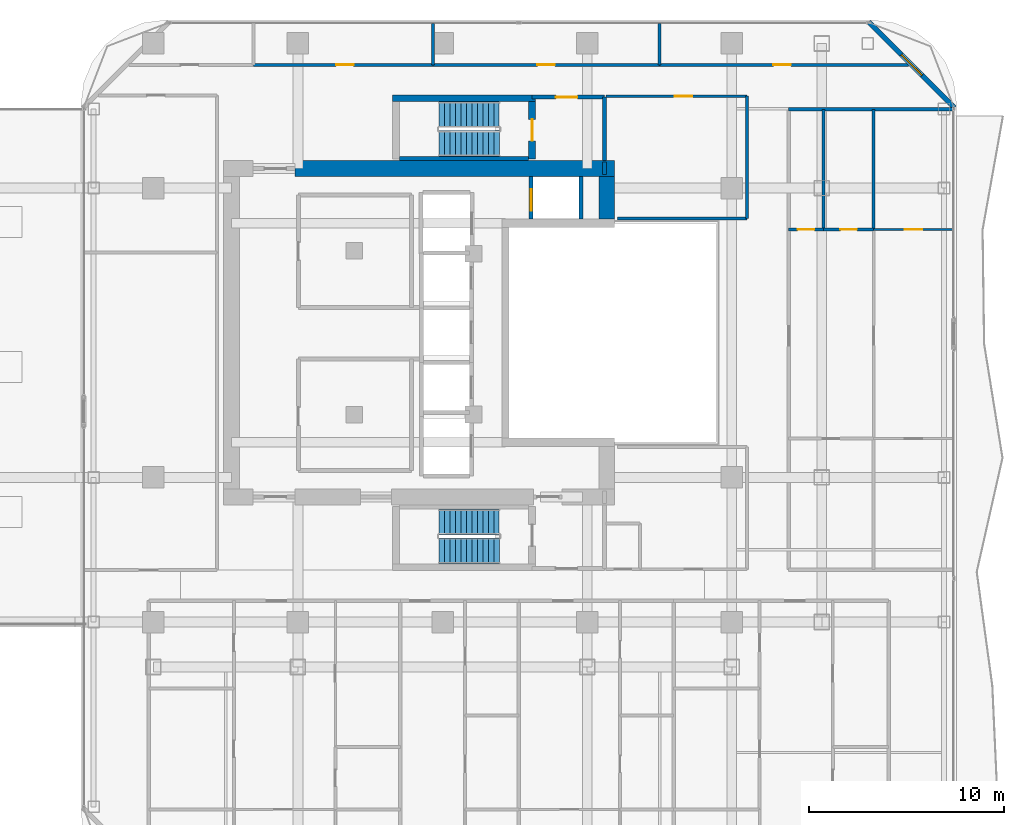
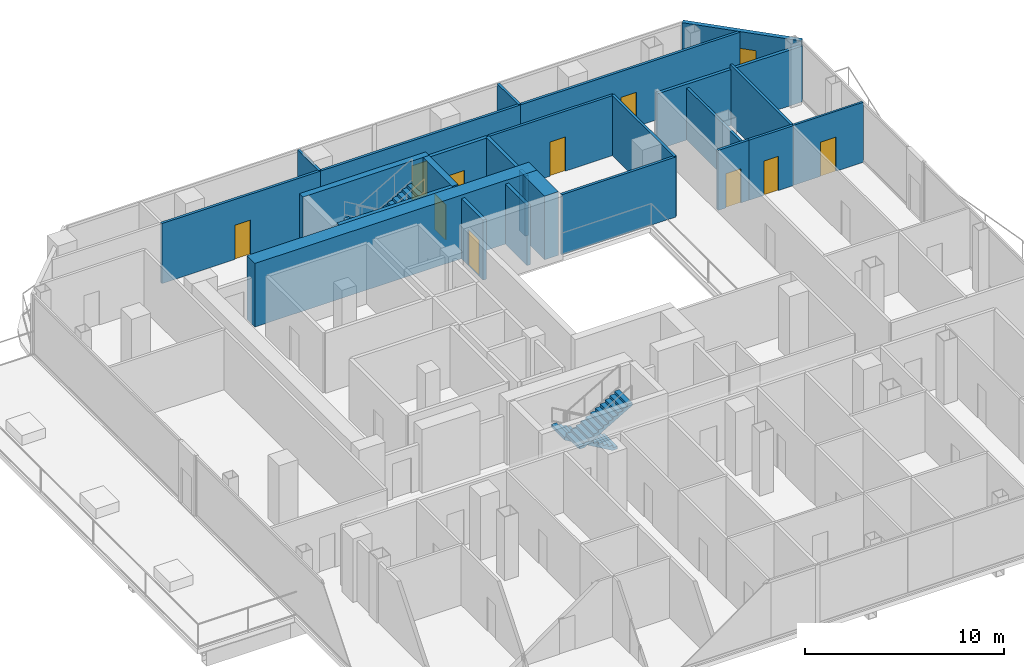
# One storey, part 23 of 26: 25 walls, 10 doors, 4 stair flights, 1 window, 11 openings, 2 elements without a shape of their own.
"""IFC4 building model written with IfcOpenShell, lengths in metres."""

from ifc_helpers import new_model, si_unit, direction, frame, frame_2d, origin, place, context, subcontext, project, spatial, polyline, rectangle, outline, extrude, material, layer, layer_set, type_object, element, fill, aggregate, save


model = new_model("IFC4")

# Units and contexts
model_context = context("Model", 3, precision=1e-05, world=origin(), true_north=direction((0.0, 1.0)))
body_context = subcontext(model_context, "Body", "Model", "MODEL_VIEW")
ifc_project = project(units=[si_unit("LENGTHUNIT", "METRE"), si_unit("AREAUNIT", "SQUARE_METRE"), si_unit("VOLUMEUNIT", "CUBIC_METRE"), si_unit("PLANEANGLEUNIT", "RADIAN"), si_unit("MASSUNIT", "GRAM", prefix="KILO")], contexts=[model_context])

# Site, building, storey
site_placement = place(None, origin())
site = spatial("IfcSite", under=ifc_project, at=site_placement, CompositionType="ELEMENT")
building_placement = place(site_placement, origin())
building = spatial("IfcBuilding", under=site, at=building_placement, Name="Khorvyn Point Tower", CompositionType="ELEMENT")
storey_placement = place(building_placement, frame((0.0, 0.0, 219.60009765625)))
storey = spatial("IfcBuildingStorey", under=building, at=storey_placement, Name="L54", CompositionType="ELEMENT", Elevation=219.60009765625)

# Wall
ifc_material_1 = material(Name="Double acoustic gypsum on twin steel stud", Category="steel")
ifc_layer_1 = layer(ifc_material_1, 0.179931640625)
ifc_layer_set_1 = layer_set([ifc_layer_1], Name="Acoustic Double-Stud Apartment Demising Wall 180")
wall_type_1 = type_object("IfcWallType", Name="Acoustic Double-Stud Apartment Demising Wall 180", PredefinedType="PARTITIONING", material=ifc_layer_set_1)
wall_1_placement = place(storey_placement, frame((17.699951171875, 11.429931640625, 0.0), z_axis=(0.0, 0.0, 1.0), x_axis=(1.0, 0.0, 0.0)))
element("IfcWall", 1, at=wall_1_placement, inside=storey, type_object=wall_type_1, Name="Wall", PredefinedType="PARTITIONING", context=body_context, shape_type="SweptSolid", body=[
    extrude(rectangle(XDim=8.429931640625, YDim=0.179931640625, at=frame_2d((4.21484375, 0.0))), origin(), (0.0, 0.0, 1.0), 3.419921875),
])

# Wall, opening, window
ifc_material_2 = material(Name="Pale anodised aluminium rainscreen on steel stud", Category="steel")
ifc_layer_2 = layer(ifc_material_2, 0.239990234375)
ifc_layer_set_2 = layer_set([ifc_layer_2], Name="Anodised Aluminium Insulated Corner Spandrel Wall 240")
wall_type_2 = type_object("IfcWallType", Name="Anodised Aluminium Insulated Corner Spandrel Wall 240", PredefinedType="SOLIDWALL", material=ifc_layer_set_2)
wall_2_placement = place(storey_placement, frame((21.8076171875, 15.892333984375, 0.0), z_axis=(0.0, 0.0, 1.0), x_axis=(0.707106781187, -0.707106781187, 0.0)))
wall_2 = element("IfcWall", 2, at=wall_2_placement, inside=storey, type_object=wall_type_2, Name="L54 Rounded Corner Wall NE", PredefinedType="SOLIDWALL", context=body_context, shape_type="SweptSolid", body=[
    extrude(rectangle(XDim=6.200927734375, YDim=0.239990234375, at=frame_2d((3.1005859375, 0.0))), origin(), (0.0, 0.0, 1.0), 3.679931640625),
])
opening_1_placement = place(wall_2_placement, frame((2.3505859375, 0.0, 0.800048828125)))
opening_1 = element("IfcOpeningElement", 3, at=opening_1_placement, cuts=wall_2, Name="Opening WN-1518", PredefinedType="OPENING", context=body_context, shape_type="SweptSolid", body=[
    extrude(rectangle(XDim=1.5, YDim=1.85009765625, at=frame_2d((0.75, 0.925048828125))), frame((0.0, 0.1298828125, 0.0), z_axis=(0.0, -1.0, 0.0), x_axis=(1.0, 0.0, 0.0)), (0.0, 0.0, 1.0), 0.260009765625),
])
ifc_material_3 = material(Name="Anodised aluminium 6063-T6 and laminated Low-E glass", Category="aluminium")
window_type = type_object("IfcWindowType", Name="Anodised Aluminium Rounded-Corner Panoramic Window 1500x1850", PartitioningType="SINGLE_PANEL", PredefinedType="WINDOW", material=ifc_material_3)
window_placement = place(opening_1_placement, origin())
window = element("IfcWindow", 4, at=window_placement, inside=storey, type_object=window_type, Name="L54 Corner Panoramic Window NE", OverallHeight=1.85009765625, OverallWidth=1.5, PartitioningType="SINGLE_PANEL", PredefinedType="WINDOW", context=body_context, shape_type="SweptSolid", body=[
    extrude(rectangle(XDim=1.5, YDim=1.85009765625, at=frame_2d((0.75, 0.925048828125))), frame((0.0, 0.030029296875, 0.0), z_axis=(0.0, -1.0, 0.0), x_axis=(1.0, 0.0, 0.0)), (0.0, 0.0, 1.0), 0.06005859375),
])
fill(opening_1, window)

# Wall, opening, door
ifc_material_4 = material(Name="Concrete C40/50", Category="concrete")
ifc_layer_3 = layer(ifc_material_4, 0.199951171875)
ifc_layer_set_3 = layer_set([ifc_layer_3], Name="Concrete C40/50 Fire-Lobby Compartment Wall 200")
wall_type_3 = type_object("IfcWallType", Name="Concrete C40/50 Fire-Lobby Compartment Wall 200", PredefinedType="SOLIDWALL", material=ifc_layer_set_3)
wall_3_placement = place(storey_placement, frame((4.580078125, 12.06005859375, 0.0), z_axis=(0.0, 0.0, 1.0), x_axis=(1.0, 0.0, 0.0)))
wall_3 = element("IfcWall", 5, at=wall_3_placement, inside=storey, type_object=wall_type_3, Name="Wall", PredefinedType="SOLIDWALL", context=body_context, shape_type="SweptSolid", body=[
    extrude(rectangle(XDim=3.699951171875, YDim=0.199951171875, at=frame_2d((1.85009765625, 0.0))), origin(), (0.0, 0.0, 1.0), 3.679931640625),
])
opening_2_placement = place(wall_3_placement, frame((1.21240234375, 0.0, 0.0)))
opening_2 = element("IfcOpeningElement", 6, at=opening_2_placement, cuts=wall_3, Name="Opening ID-FL90", PredefinedType="OPENING", context=body_context, shape_type="SweptSolid", body=[
    extrude(rectangle(XDim=1.10009765625, YDim=2.14990234375, at=frame_2d((0.550048828125, 1.074951171875))), frame((0.0, 0.10986328125, 0.0), z_axis=(0.0, -1.0, 0.0), x_axis=(1.0, 0.0, 0.0)), (0.0, 0.0, 1.0), 0.219970703125),
])
ifc_material_5 = material(Name="Galvanised powder-coated steel", Category="steel")
door_type_1 = type_object("IfcDoorType", Name="Fire-Rated Steel Lobby and Stair Door 1100x2150", OperationType="NOTDEFINED", PredefinedType="DOOR", material=ifc_material_5)
door_1_placement = place(opening_2_placement, origin())
door_1 = element("IfcDoor", 7, at=door_1_placement, inside=storey, type_object=door_type_1, Name="Door", OperationType="SINGLE_SWING_RIGHT", OverallHeight=2.14990234375, OverallWidth=1.10009765625, PredefinedType="DOOR", context=body_context, shape_type="SweptSolid", body=[
    extrude(rectangle(XDim=1.10009765625, YDim=2.14990234375, at=frame_2d((0.550048828125, 1.074951171875))), frame((0.0, 0.02490234375, 0.0), z_axis=(0.0, -1.0, 0.0), x_axis=(1.0, 0.0, 0.0)), (0.0, 0.0, 1.0), 0.050048828125),
])
fill(opening_2, door_1)

# Walls
wall_4_placement = place(storey_placement, frame((8.280029296875, 8.800048828125, 0.0), z_axis=(0.0, 0.0, 1.0), x_axis=(0.0, 1.0, 0.0)))
element("IfcWall", 8, at=wall_4_placement, inside=storey, type_object=wall_type_3, Name="Wall", PredefinedType="SOLIDWALL", context=body_context, shape_type="SweptSolid", body=[
    extrude(rectangle(XDim=3.260009765625, YDim=0.199951171875, at=frame_2d((1.6298828125, 0.0))), origin(), (0.0, 0.0, 1.0), 3.679931640625),
])
wall_5_placement = place(storey_placement, frame((8.280029296875, 8.10009765625, 0.0), z_axis=(0.0, 0.0, 1.0), x_axis=(0.0, 1.0, 0.0)))
element("IfcWall", 9, at=wall_5_placement, inside=storey, type_object=wall_type_3, Name="Wall", PredefinedType="SOLIDWALL", context=body_context, shape_type="SweptSolid", body=[
    extrude(rectangle(XDim=0.625, YDim=0.199951171875, at=frame_2d((0.3125, 0.0))), origin(), (0.0, 0.0, 1.0), 3.679931640625),
])
ifc_layer_4 = layer(ifc_material_4, 0.25)
ifc_layer_set_4 = layer_set([ifc_layer_4], Name="Concrete C40/50 Stair Inner Cheek Structural Wall 250")
wall_type_4 = type_object("IfcWallType", Name="Concrete C40/50 Stair Inner Cheek Structural Wall 250", PredefinedType="SHEAR", material=ifc_layer_set_4)
wall_6_placement = place(storey_placement, frame((-2.199951171875, 8.91259765625, 0.0), z_axis=(0.0, 0.0, 1.0), x_axis=(1.0, 0.0, 0.0)))
element("IfcWall", 10, at=wall_6_placement, inside=storey, type_object=wall_type_4, Name="Wall", PredefinedType="SHEAR", context=body_context, shape_type="SweptSolid", body=[
    extrude(rectangle(XDim=6.599853515625, YDim=0.22509765625, at=frame_2d((3.2998046875, 0.0))), origin(), (0.0, 0.0, 1.0), 3.89990234375),
])
ifc_layer_5 = layer(ifc_material_4, 0.35009765625)
ifc_layer_set_5 = layer_set([ifc_layer_5], Name="Concrete C40/50 Stair Shaft Structural Wall 350")
wall_type_5 = type_object("IfcWallType", Name="Concrete C40/50 Stair Shaft Structural Wall 350", PredefinedType="SHEAR", material=ifc_layer_set_5)
wall_7_placement = place(storey_placement, frame((-2.554931640625, 12.0, 0.0), z_axis=(0.0, 0.0, 1.0), x_axis=(1.0, 0.0, 0.0)))
element("IfcWall", 11, at=wall_7_placement, inside=storey, type_object=wall_type_5, Name="L54 ST-02 North Shaft Wall", PredefinedType="SHEAR", context=body_context, shape_type="SweptSolid", body=[
    extrude(rectangle(XDim=7.309814453125, YDim=0.35009765625, at=frame_2d((3.65478515625, 0.0))), origin(), (0.0, 0.0, 1.0), 3.89990234375),
])

# Wall, opening, door
wall_8_placement = place(storey_placement, frame((4.580078125, 11.824951171875, 0.0), z_axis=(0.0, 0.0, 1.0), x_axis=(0.0, -1.0, 0.0)))
wall_8 = element("IfcWall", 12, at=wall_8_placement, inside=storey, type_object=wall_type_5, Name="L54 ST-02 East Landing Door Wall", PredefinedType="SHEAR", context=body_context, shape_type="SweptSolid", body=[
    extrude(rectangle(XDim=2.925048828125, YDim=0.35009765625, at=frame_2d((1.46240234375, 0.0))), origin(), (0.0, 0.0, 1.0), 3.89990234375),
])
opening_3_placement = place(wall_8_placement, frame((0.91259765625, 0.0, 0.0)))
opening_3 = element("IfcOpeningElement", 13, at=opening_3_placement, cuts=wall_8, Name="Opening ID-FL90", PredefinedType="OPENING", context=body_context, shape_type="SweptSolid", body=[
    extrude(rectangle(XDim=1.10009765625, YDim=2.14990234375, at=frame_2d((0.550048828125, 1.074951171875))), frame((0.0, 0.18505859375, 0.0), z_axis=(0.0, -1.0, 0.0), x_axis=(1.0, 0.0, 0.0)), (0.0, 0.0, 1.0), 0.3701171875),
])
door_2_placement = place(opening_3_placement, origin())
door_2 = element("IfcDoor", 14, at=door_2_placement, inside=storey, type_object=door_type_1, Name="L54 ST-02 Smokeproof Landing Door", OperationType="SINGLE_SWING_LEFT", OverallHeight=2.14990234375, OverallWidth=1.10009765625, PredefinedType="DOOR", context=body_context, shape_type="SweptSolid", body=[
    extrude(rectangle(XDim=1.10009765625, YDim=2.14990234375, at=frame_2d((0.550048828125, 1.074951171875))), frame((0.0, 0.02490234375, 0.0), z_axis=(0.0, -1.0, 0.0), x_axis=(1.0, 0.0, 0.0)), (0.0, 0.0, 1.0), 0.050048828125),
])
fill(opening_3, door_2)

ifc_layer_6 = layer(ifc_material_4, 0.199951171875)
ifc_layer_set_6 = layer_set([ifc_layer_6], Name="Concrete C40/50 Structural Hoistway and Stair Shaft Wall 200")
wall_type_6 = type_object("IfcWallType", Name="Concrete C40/50 Structural Hoistway and Stair Shaft Wall 200", PredefinedType="SHEAR", material=ifc_layer_set_6)
wall_9_placement = place(storey_placement, frame((4.52490234375, 5.824951171875, 0.0), z_axis=(0.0, 0.0, 1.0), x_axis=(0.0, 1.0, 0.0)))
wall_9 = element("IfcWall", 15, at=wall_9_placement, inside=storey, type_object=wall_type_6, Name="Wall", PredefinedType="SHEAR", context=body_context, shape_type="SweptSolid", body=[
    extrude(rectangle(XDim=2.175048828125, YDim=0.199951171875, at=frame_2d((1.08740234375, 0.0))), origin(), (0.0, 0.0, 1.0), 3.679931640625),
])
opening_4_placement = place(wall_9_placement, frame((0.425048828125, 0.0, 0.0)))
opening_4 = element("IfcOpeningElement", 16, at=opening_4_placement, cuts=wall_9, Name="Opening LD-1122", PredefinedType="OPENING", context=body_context, shape_type="SweptSolid", body=[
    extrude(rectangle(XDim=1.10009765625, YDim=2.199951171875, at=frame_2d((0.550048828125, 1.10009765625))), frame((0.0, 0.10986328125, 0.0), z_axis=(0.0, -1.0, 0.0), x_axis=(1.0, 0.0, 0.0)), (0.0, 0.0, 1.0), 0.219970703125),
])
ifc_material_6 = material(Name="Stainless steel 1.4301", Category="steel")
door_type_2 = type_object("IfcDoorType", Name="Stainless Steel Automatic Sliding Lift Landing Door 1100x2200", OperationType="SLIDING_TO_LEFT", PredefinedType="DOOR", material=ifc_material_6)
door_3_placement = place(opening_4_placement, origin())
door_3 = element("IfcDoor", 17, at=door_3_placement, inside=storey, type_object=door_type_2, Name="L54 FF-02 Sliding Lift Landing Door", OperationType="SLIDING_TO_LEFT", OverallHeight=2.199951171875, OverallWidth=1.10009765625, PredefinedType="DOOR", context=body_context, shape_type="SweptSolid", body=[
    extrude(rectangle(XDim=1.10009765625, YDim=2.199951171875, at=frame_2d((0.550048828125, 1.10009765625))), frame((0.0, 0.02490234375, 0.0), z_axis=(0.0, -1.0, 0.0), x_axis=(1.0, 0.0, 0.0)), (0.0, 0.0, 1.0), 0.050048828125),
])
fill(opening_4, door_3)

# Walls
wall_10_placement = place(storey_placement, frame((7.074951171875, 5.824951171875, 0.0), z_axis=(0.0, 0.0, 1.0), x_axis=(0.0, 1.0, 0.0)))
element("IfcWall", 18, at=wall_10_placement, inside=storey, type_object=wall_type_6, Name="Wall", PredefinedType="SHEAR", context=body_context, shape_type="SweptSolid", body=[
    extrude(rectangle(XDim=2.175048828125, YDim=0.199951171875, at=frame_2d((1.08740234375, 0.0))), origin(), (0.0, 0.0, 1.0), 3.679931640625),
])
ifc_material_7 = material(Name="Concrete C45/55", Category="concrete")
ifc_layer_7 = layer(ifc_material_7, 0.800048828125)
ifc_layer_set_7 = layer_set([ifc_layer_7], Name="Concrete C45/55 Core Shear Wall 800")
wall_type_7 = type_object("IfcWallType", Name="Concrete C45/55 Core Shear Wall 800", PredefinedType="SHEAR", material=ifc_layer_set_7)
wall_11_placement = place(storey_placement, frame((-7.550048828125, 8.39990234375, 0.0), z_axis=(0.0, 0.0, 1.0), x_axis=(1.0, 0.0, 0.0)))
element("IfcWall", 19, at=wall_11_placement, inside=storey, type_object=wall_type_7, Name="Wall", PredefinedType="SHEAR", context=body_context, shape_type="SweptSolid", body=[
    extrude(rectangle(XDim=16.35009765625, YDim=0.800048828125, at=frame_2d((8.175048828125, 0.0))), origin(), (0.0, 0.0, 1.0), 3.89990234375),
])
wall_12_placement = place(storey_placement, frame((8.39990234375, 5.824951171875, 0.0), z_axis=(0.0, 0.0, 1.0), x_axis=(0.0, 1.0, 0.0)))
element("IfcWall", 20, at=wall_12_placement, inside=storey, type_object=wall_type_7, Name="Wall", PredefinedType="SHEAR", context=body_context, shape_type="SweptSolid", body=[
    extrude(rectangle(XDim=2.175048828125, YDim=0.800048828125, at=frame_2d((1.08740234375, 0.0))), origin(), (0.0, 0.0, 1.0), 3.89990234375),
])

# Wall, opening, door
ifc_material_8 = material(Name="Gypsum plasterboard on steel stud", Category="steel")
ifc_layer_8 = layer(ifc_material_8, 0.1201171875)
ifc_layer_set_8 = layer_set([ifc_layer_8], Name="Gypsum Acoustic Stud Room Partition Wall 120")
wall_type_8 = type_object("IfcWallType", Name="Gypsum Acoustic Stud Room Partition Wall 120", PredefinedType="PARTITIONING", material=ifc_layer_set_8)
wall_13_placement = place(storey_placement, frame((22.054931640625, 5.281982421875, 0.0), z_axis=(0.0, 0.0, 1.0), x_axis=(1.0, 0.0, 0.0)))
wall_13 = element("IfcWall", 21, at=wall_13_placement, inside=storey, type_object=wall_type_8, Name="Wall", PredefinedType="PARTITIONING", context=body_context, shape_type="SweptSolid", body=[
    extrude(rectangle(XDim=4.074951171875, YDim=0.1201171875, at=frame_2d((2.03759765625, 0.0))), origin(), (0.0, 0.0, 1.0), 3.679931640625),
])
opening_5_placement = place(wall_13_placement, frame((1.58740234375, 0.0, 0.0)))
opening_5 = element("IfcOpeningElement", 22, at=opening_5_placement, cuts=wall_13, Name="Opening ID-RM90", PredefinedType="OPENING", context=body_context, shape_type="SweptSolid", body=[
    extrude(rectangle(XDim=0.89990234375, YDim=2.10009765625, at=frame_2d((0.449951171875, 1.050048828125))), frame((0.0, 0.070068359375, 0.0), z_axis=(0.0, -1.0, 0.0), x_axis=(1.0, 0.0, 0.0)), (0.0, 0.0, 1.0), 0.14013671875),
])
ifc_material_9 = material(Name="Engineered oak veneer timber", Category="wood")
door_type_3 = type_object("IfcDoorType", Name="Flush Engineered Timber Room Door 900x2100", OperationType="NOTDEFINED", PredefinedType="DOOR", material=ifc_material_9)
door_4_placement = place(opening_5_placement, origin())
door_4 = element("IfcDoor", 23, at=door_4_placement, inside=storey, type_object=door_type_3, Name="Door", OperationType="SINGLE_SWING_RIGHT", OverallHeight=2.10009765625, OverallWidth=0.89990234375, PredefinedType="DOOR", context=body_context, shape_type="SweptSolid", body=[
    extrude(rectangle(XDim=0.89990234375, YDim=2.10009765625, at=frame_2d((0.449951171875, 1.050048828125))), frame((0.0, 0.02490234375, 0.0), z_axis=(0.0, -1.0, 0.0), x_axis=(1.0, 0.0, 0.0)), (0.0, 0.0, 1.0), 0.050048828125),
])
fill(opening_5, door_4)

ifc_material_10 = material(Name="Moisture-resistant gypsum and cement board", Category="gypsum")
ifc_layer_9 = layer(ifc_material_10, 0.14990234375)
ifc_layer_set_9 = layer_set([ifc_layer_9], Name="Moisture-Resistant Wet-Room Partition Wall 150")
wall_type_9 = type_object("IfcWallType", Name="Moisture-Resistant Wet-Room Partition Wall 150", PredefinedType="PARTITIONING", material=ifc_layer_set_9)
wall_14_placement = place(storey_placement, frame((8.360107421875, 12.10009765625, 0.0), z_axis=(0.0, 0.0, 1.0), x_axis=(1.0, 0.0, 0.0)))
wall_14 = element("IfcWall", 24, at=wall_14_placement, inside=storey, type_object=wall_type_9, Name="Wall", PredefinedType="PARTITIONING", context=body_context, shape_type="SweptSolid", body=[
    extrude(rectangle(XDim=7.219970703125, YDim=0.14990234375, at=frame_2d((3.60986328125, 0.0))), origin(), (0.0, 0.0, 1.0), 3.679931640625),
])
opening_6_placement = place(wall_14_placement, frame((3.512939453125, 0.0, 0.0)))
opening_6 = element("IfcOpeningElement", 25, at=opening_6_placement, cuts=wall_14, Name="Opening ID-RM90", PredefinedType="OPENING", context=body_context, shape_type="SweptSolid", body=[
    extrude(rectangle(XDim=0.89990234375, YDim=2.10009765625, at=frame_2d((0.449951171875, 1.050048828125))), frame((0.0, 0.0849609375, 0.0), z_axis=(0.0, -1.0, 0.0), x_axis=(1.0, 0.0, 0.0)), (0.0, 0.0, 1.0), 0.169921875),
])
door_5_placement = place(opening_6_placement, origin())
door_5 = element("IfcDoor", 26, at=door_5_placement, inside=storey, type_object=door_type_3, Name="Door", OperationType="SINGLE_SWING_LEFT", OverallHeight=2.10009765625, OverallWidth=0.89990234375, PredefinedType="DOOR", context=body_context, shape_type="SweptSolid", body=[
    extrude(rectangle(XDim=0.89990234375, YDim=2.10009765625, at=frame_2d((0.449951171875, 1.050048828125))), frame((0.0, 0.02490234375, 0.0), z_axis=(0.0, -1.0, 0.0), x_axis=(1.0, 0.0, 0.0)), (0.0, 0.0, 1.0), 0.050048828125),
])
fill(opening_6, door_5)

wall_15_placement = place(storey_placement, frame((-9.679931640625, 13.699951171875, 0.0), z_axis=(0.0, 0.0, 1.0), x_axis=(1.0, 0.0, 0.0)))
wall_15 = element("IfcWall", 27, at=wall_15_placement, inside=storey, type_object=wall_type_9, Name="Wall", PredefinedType="PARTITIONING", context=body_context, shape_type="SweptSolid", body=[
    extrude(rectangle(XDim=9.18603515625, YDim=0.14990234375, at=frame_2d((4.593017578125, 0.0))), origin(), (0.0, 0.0, 1.0), 3.679931640625),
])
opening_7_placement = place(wall_15_placement, frame((4.2314453125, 0.0, 0.0)))
opening_7 = element("IfcOpeningElement", 28, at=opening_7_placement, cuts=wall_15, Name="Opening ID-RM90", PredefinedType="OPENING", context=body_context, shape_type="SweptSolid", body=[
    extrude(rectangle(XDim=0.89990234375, YDim=2.10009765625, at=frame_2d((0.449951171875, 1.050048828125))), frame((0.0, 0.0849609375, 0.0), z_axis=(0.0, -1.0, 0.0), x_axis=(1.0, 0.0, 0.0)), (0.0, 0.0, 1.0), 0.169921875),
])
door_6_placement = place(opening_7_placement, origin())
door_6 = element("IfcDoor", 29, at=door_6_placement, inside=storey, type_object=door_type_3, Name="Door", OperationType="SINGLE_SWING_LEFT", OverallHeight=2.10009765625, OverallWidth=0.89990234375, PredefinedType="DOOR", context=body_context, shape_type="SweptSolid", body=[
    extrude(rectangle(XDim=0.89990234375, YDim=2.10009765625, at=frame_2d((0.449951171875, 1.050048828125))), frame((0.0, 0.02490234375, 0.0), z_axis=(0.0, -1.0, 0.0), x_axis=(1.0, 0.0, 0.0)), (0.0, 0.0, 1.0), 0.050048828125),
])
fill(opening_7, door_6)

wall_16_placement = place(storey_placement, frame((-0.493896484375, 13.699951171875, 0.0), z_axis=(0.0, 0.0, 1.0), x_axis=(1.0, 0.0, 0.0)))
wall_16 = element("IfcWall", 30, at=wall_16_placement, inside=storey, type_object=wall_type_9, Name="Wall", PredefinedType="PARTITIONING", context=body_context, shape_type="SweptSolid", body=[
    extrude(rectangle(XDim=11.5830078125, YDim=0.14990234375, at=frame_2d((5.79150390625, 0.0))), origin(), (0.0, 0.0, 1.0), 3.679931640625),
])
opening_8_placement = place(wall_16_placement, frame((5.341552734375, 0.0, 0.0)))
opening_8 = element("IfcOpeningElement", 31, at=opening_8_placement, cuts=wall_16, Name="Opening ID-RM90", PredefinedType="OPENING", context=body_context, shape_type="SweptSolid", body=[
    extrude(rectangle(XDim=0.89990234375, YDim=2.10009765625, at=frame_2d((0.449951171875, 1.050048828125))), frame((0.0, 0.0849609375, 0.0), z_axis=(0.0, -1.0, 0.0), x_axis=(1.0, 0.0, 0.0)), (0.0, 0.0, 1.0), 0.169921875),
])
door_7_placement = place(opening_8_placement, origin())
door_7 = element("IfcDoor", 32, at=door_7_placement, inside=storey, type_object=door_type_3, Name="Door", OperationType="SINGLE_SWING_RIGHT", OverallHeight=2.10009765625, OverallWidth=0.89990234375, PredefinedType="DOOR", context=body_context, shape_type="SweptSolid", body=[
    extrude(rectangle(XDim=0.89990234375, YDim=2.10009765625, at=frame_2d((0.449951171875, 1.050048828125))), frame((0.0, 0.02490234375, 0.0), z_axis=(0.0, -1.0, 0.0), x_axis=(1.0, 0.0, 0.0)), (0.0, 0.0, 1.0), 0.050048828125),
])
fill(opening_8, door_7)

wall_17_placement = place(storey_placement, frame((11.089111328125, 13.699951171875, 0.0), z_axis=(0.0, 0.0, 1.0), x_axis=(1.0, 0.0, 0.0)))
wall_17 = element("IfcWall", 33, at=wall_17_placement, inside=storey, type_object=wall_type_9, Name="Wall", PredefinedType="PARTITIONING", context=body_context, shape_type="SweptSolid", body=[
    extrude(rectangle(XDim=12.740966796875, YDim=0.14990234375, at=frame_2d((6.37060546875, 0.0))), origin(), (0.0, 0.0, 1.0), 3.679931640625),
])
opening_9_placement = place(wall_17_placement, frame((5.831787109375, 0.0, 0.0)))
opening_9 = element("IfcOpeningElement", 34, at=opening_9_placement, cuts=wall_17, Name="Opening ID-RM90", PredefinedType="OPENING", context=body_context, shape_type="SweptSolid", body=[
    extrude(rectangle(XDim=0.89990234375, YDim=2.10009765625, at=frame_2d((0.449951171875, 1.050048828125))), frame((0.0, 0.0849609375, 0.0), z_axis=(0.0, -1.0, 0.0), x_axis=(1.0, 0.0, 0.0)), (0.0, 0.0, 1.0), 0.169921875),
])
door_8_placement = place(opening_9_placement, origin())
door_8 = element("IfcDoor", 35, at=door_8_placement, inside=storey, type_object=door_type_3, Name="Door", OperationType="SINGLE_SWING_LEFT", OverallHeight=2.10009765625, OverallWidth=0.89990234375, PredefinedType="DOOR", context=body_context, shape_type="SweptSolid", body=[
    extrude(rectangle(XDim=0.89990234375, YDim=2.10009765625, at=frame_2d((0.449951171875, 1.050048828125))), frame((0.0, 0.02490234375, 0.0), z_axis=(0.0, -1.0, 0.0), x_axis=(1.0, 0.0, 0.0)), (0.0, 0.0, 1.0), 0.050048828125),
])
fill(opening_9, door_8)

wall_18_placement = place(storey_placement, frame((17.699951171875, 5.281982421875, 0.0), z_axis=(0.0, 0.0, 1.0), x_axis=(1.0, 0.0, 0.0)))
wall_18 = element("IfcWall", 36, at=wall_18_placement, inside=storey, type_object=wall_type_9, Name="Wall", PredefinedType="PARTITIONING", context=body_context, shape_type="SweptSolid", body=[
    extrude(rectangle(XDim=1.7861328125, YDim=0.14990234375, at=frame_2d((0.89306640625, 0.0))), origin(), (0.0, 0.0, 1.0), 3.679931640625),
])
opening_10_placement = place(wall_18_placement, frame((0.468017578125, 0.0, 0.0)))
opening_10 = element("IfcOpeningElement", 37, at=opening_10_placement, cuts=wall_18, Name="Opening ID-WC85", PredefinedType="OPENING", context=body_context, shape_type="SweptSolid", body=[
    extrude(rectangle(XDim=0.85009765625, YDim=2.10009765625, at=frame_2d((0.425048828125, 1.050048828125))), frame((0.0, 0.0849609375, 0.0), z_axis=(0.0, -1.0, 0.0), x_axis=(1.0, 0.0, 0.0)), (0.0, 0.0, 1.0), 0.169921875),
])
ifc_material_11 = material(Name="High-pressure laminate on moisture-resistant core", Category="wood")
door_type_4 = type_object("IfcDoorType", Name="Moisture-Resistant Accessible Washroom Door 850x2100", OperationType="NOTDEFINED", PredefinedType="DOOR", material=ifc_material_11)
door_9_placement = place(opening_10_placement, origin())
door_9 = element("IfcDoor", 38, at=door_9_placement, inside=storey, type_object=door_type_4, Name="Door", OperationType="SINGLE_SWING_RIGHT", OverallHeight=2.10009765625, OverallWidth=0.85009765625, PredefinedType="DOOR", context=body_context, shape_type="SweptSolid", body=[
    extrude(rectangle(XDim=0.85009765625, YDim=2.10009765625, at=frame_2d((0.425048828125, 1.050048828125))), frame((0.0, 0.02490234375, 0.0), z_axis=(0.0, -1.0, 0.0), x_axis=(1.0, 0.0, 0.0)), (0.0, 0.0, 1.0), 0.050048828125),
])
fill(opening_10, door_9)

wall_19_placement = place(storey_placement, frame((19.486083984375, 5.281982421875, 0.0), z_axis=(0.0, 0.0, 1.0), x_axis=(1.0, 0.0, 0.0)))
wall_19 = element("IfcWall", 39, at=wall_19_placement, inside=storey, type_object=wall_type_9, Name="Wall", PredefinedType="PARTITIONING", context=body_context, shape_type="SweptSolid", body=[
    extrude(rectangle(XDim=2.56884765625, YDim=0.14990234375, at=frame_2d((1.284423828125, 0.0))), origin(), (0.0, 0.0, 1.0), 3.679931640625),
])
opening_11_placement = place(wall_19_placement, frame((0.859619140625, 0.0, 0.0)))
opening_11 = element("IfcOpeningElement", 40, at=opening_11_placement, cuts=wall_19, Name="Opening ID-WC85", PredefinedType="OPENING", context=body_context, shape_type="SweptSolid", body=[
    extrude(rectangle(XDim=0.85009765625, YDim=2.10009765625, at=frame_2d((0.425048828125, 1.050048828125))), frame((0.0, 0.0849609375, 0.0), z_axis=(0.0, -1.0, 0.0), x_axis=(1.0, 0.0, 0.0)), (0.0, 0.0, 1.0), 0.169921875),
])
door_10_placement = place(opening_11_placement, origin())
door_10 = element("IfcDoor", 41, at=door_10_placement, inside=storey, type_object=door_type_4, Name="Door", OperationType="SINGLE_SWING_LEFT", OverallHeight=2.10009765625, OverallWidth=0.85009765625, PredefinedType="DOOR", context=body_context, shape_type="SweptSolid", body=[
    extrude(rectangle(XDim=0.85009765625, YDim=2.10009765625, at=frame_2d((0.425048828125, 1.050048828125))), frame((0.0, 0.02490234375, 0.0), z_axis=(0.0, -1.0, 0.0), x_axis=(1.0, 0.0, 0.0)), (0.0, 0.0, 1.0), 0.050048828125),
])
fill(opening_11, door_10)

# Walls
wall_20_placement = place(storey_placement, frame((15.580078125, 5.85009765625, 0.0), z_axis=(0.0, 0.0, 1.0), x_axis=(0.0, 1.0, 0.0)))
element("IfcWall", 42, at=wall_20_placement, inside=storey, type_object=wall_type_9, Name="Wall", PredefinedType="PARTITIONING", context=body_context, shape_type="SweptSolid", body=[
    extrude(rectangle(XDim=6.25, YDim=0.14990234375, at=frame_2d((3.125, 0.0))), origin(), (0.0, 0.0, 1.0), 3.679931640625),
])
wall_21_placement = place(storey_placement, frame((8.9599609375, 5.85009765625, 0.0), z_axis=(0.0, 0.0, 1.0), x_axis=(1.0, 0.0, 0.0)))
element("IfcWall", 43, at=wall_21_placement, inside=storey, type_object=wall_type_9, Name="Wall", PredefinedType="PARTITIONING", context=body_context, shape_type="SweptSolid", body=[
    extrude(rectangle(XDim=6.6201171875, YDim=0.14990234375, at=frame_2d((3.31005859375, 0.0))), origin(), (0.0, 0.0, 1.0), 3.679931640625),
])
for number, where, z_axis, x_axis, name in (
    (44, (-0.493896484375, 13.699951171875, 0.0), (0.0, 0.0, 1.0), (0.0, 1.0, 0.0), "Wall"),
    (45, (11.089111328125, 13.699951171875, 0.0), (0.0, 0.0, 1.0), (0.0, 1.0, 0.0), "Wall"),
):
    element("IfcWall", number, at=place(storey_placement, frame(where, z_axis=z_axis, x_axis=x_axis)), inside=storey, type_object=wall_type_9, Name=name, PredefinedType="PARTITIONING", context=body_context, shape_type="SweptSolid", body=[
        extrude(rectangle(XDim=2.130126953125, YDim=0.14990234375, at=frame_2d((1.06494140625, 0.0))), origin(), (0.0, 0.0, 1.0), 3.679931640625),
    ])
wall_22_placement = place(storey_placement, frame((19.486083984375, 5.281982421875, 0.0), z_axis=(0.0, 0.0, 1.0), x_axis=(0.0, 1.0, 0.0)))
element("IfcWall", 46, at=wall_22_placement, inside=storey, type_object=wall_type_9, Name="Wall", PredefinedType="PARTITIONING", context=body_context, shape_type="SweptSolid", body=[
    extrude(rectangle(XDim=6.14794921875, YDim=0.14990234375, at=frame_2d((3.073974609375, 0.0))), origin(), (0.0, 0.0, 1.0), 3.181884765625),
])
wall_23_placement = place(storey_placement, frame((22.054931640625, 5.281982421875, 0.0), z_axis=(0.0, 0.0, 1.0), x_axis=(0.0, 1.0, 0.0)))
element("IfcWall", 47, at=wall_23_placement, inside=storey, type_object=wall_type_9, Name="Wall", PredefinedType="PARTITIONING", context=body_context, shape_type="SweptSolid", body=[
    extrude(rectangle(XDim=6.14794921875, YDim=0.14990234375, at=frame_2d((3.073974609375, 0.0))), origin(), (0.0, 0.0, 1.0), 3.679931640625),
])

# Stair, stair flights
stair_type = type_object("IfcStairType", Name="Tower Concrete C40/50 Dogleg Exit Stair", PredefinedType="HALF_TURN_STAIR", material=ifc_material_4)
stair_1_placement = place(storey_placement, origin())
stair_1 = element("IfcStair", 48, at=stair_1_placement, inside=storey, type_object=stair_type, Name="L54 Tower Smokeproof Exit Stair South", PredefinedType="HALF_TURN_STAIR")
stair_flight_type = type_object("IfcStairFlightType", Name="Tower Concrete C40/50 Stair Flight", PredefinedType="STRAIGHT", material=ifc_material_4)
stair_flight_1_placement = place(storey_placement, frame((2.89990234375, -9.679931640625, 0.0), z_axis=(0.0, 0.0, 1.0), x_axis=(-1.0, 0.0, 0.0)))
stair_flight_1 = element("IfcStairFlight", 49, at=stair_flight_1_placement, type_object=stair_flight_type, Name="ST-01 flight 1", NumberOfRisers=12, NumberOfTreads=11, PredefinedType="STRAIGHT", RiserHeight=0.1625, TreadLength=0.28, context=body_context, shape_type="SweptSolid", body=[
    extrude(outline(polyline([(0.0, 0.0), (0.0, 0.16259765625), (0.280029296875, 0.16259765625), (0.280029296875, 0.324951171875), (0.56005859375, 0.324951171875), (0.56005859375, 0.487548828125), (0.840087890625, 0.487548828125), (0.840087890625, 0.64990234375), (1.1201171875, 0.64990234375), (1.1201171875, 0.8125), (1.39990234375, 0.8125), (1.39990234375, 0.97509765625), (1.679931640625, 0.97509765625), (1.679931640625, 1.137451171875), (1.9599609375, 1.137451171875), (1.9599609375, 1.300048828125), (2.239990234375, 1.300048828125), (2.239990234375, 1.46240234375), (2.52001953125, 1.46240234375), (2.52001953125, 1.625), (2.800048828125, 1.625), (2.800048828125, 1.78759765625), (3.080078125, 1.78759765625), (3.080078125, 1.949951171875), (3.080078125, 1.6142578125), (0.298583984375, 0.0), (0.0, 0.0)])), frame((0.0, 0.66015625, 0.0), z_axis=(0.0, -1.0, 0.0), x_axis=(1.0, 0.0, 0.0)), (0.0, 0.0, 1.0), 1.320068359375),
])
stair_flight_2_placement = place(storey_placement, frame((-0.179931640625, -11.159912109375, 1.949951171875), z_axis=(0.0, 0.0, 1.0), x_axis=(1.0, 0.0, 0.0)))
stair_flight_2 = element("IfcStairFlight", 50, at=stair_flight_2_placement, type_object=stair_flight_type, Name="ST-01 flight 2", NumberOfRisers=12, NumberOfTreads=11, PredefinedType="STRAIGHT", RiserHeight=0.1625, TreadLength=0.28, context=body_context, shape_type="SweptSolid", body=[
    extrude(outline(polyline([(0.0, 0.0), (0.0, 0.16259765625), (0.280029296875, 0.16259765625), (0.280029296875, 0.324951171875), (0.56005859375, 0.324951171875), (0.56005859375, 0.487548828125), (0.840087890625, 0.487548828125), (0.840087890625, 0.64990234375), (1.1201171875, 0.64990234375), (1.1201171875, 0.8125), (1.39990234375, 0.8125), (1.39990234375, 0.97509765625), (1.679931640625, 0.97509765625), (1.679931640625, 1.137451171875), (1.9599609375, 1.137451171875), (1.9599609375, 1.300048828125), (2.239990234375, 1.300048828125), (2.239990234375, 1.46240234375), (2.52001953125, 1.46240234375), (2.52001953125, 1.625), (2.800048828125, 1.625), (2.800048828125, 1.78759765625), (3.080078125, 1.78759765625), (3.080078125, 1.949951171875), (3.080078125, 1.6142578125), (0.298583984375, 0.0), (0.0, 0.0)])), frame((0.0, 0.66015625, 0.0), z_axis=(0.0, -1.0, 0.0), x_axis=(1.0, 0.0, 0.0)), (0.0, 0.0, 1.0), 1.320068359375),
])
aggregate(stair_1, [stair_flight_1, stair_flight_2])

stair_2_placement = place(storey_placement, origin())
stair_2 = element("IfcStair", 51, at=stair_2_placement, inside=storey, type_object=stair_type, Name="L54 Tower Smokeproof Exit Stair North", PredefinedType="HALF_TURN_STAIR")
stair_flight_3_placement = place(storey_placement, frame((2.89990234375, 11.159912109375, 0.0), z_axis=(0.0, 0.0, 1.0), x_axis=(-1.0, 0.0, 0.0)))
stair_flight_3 = element("IfcStairFlight", 52, at=stair_flight_3_placement, type_object=stair_flight_type, Name="ST-02 flight 1", NumberOfRisers=12, NumberOfTreads=11, PredefinedType="STRAIGHT", RiserHeight=0.1625, TreadLength=0.28, context=body_context, shape_type="SweptSolid", body=[
    extrude(outline(polyline([(0.0, 0.0), (0.0, 0.16259765625), (0.280029296875, 0.16259765625), (0.280029296875, 0.324951171875), (0.56005859375, 0.324951171875), (0.56005859375, 0.487548828125), (0.840087890625, 0.487548828125), (0.840087890625, 0.64990234375), (1.1201171875, 0.64990234375), (1.1201171875, 0.8125), (1.39990234375, 0.8125), (1.39990234375, 0.97509765625), (1.679931640625, 0.97509765625), (1.679931640625, 1.137451171875), (1.9599609375, 1.137451171875), (1.9599609375, 1.300048828125), (2.239990234375, 1.300048828125), (2.239990234375, 1.46240234375), (2.52001953125, 1.46240234375), (2.52001953125, 1.625), (2.800048828125, 1.625), (2.800048828125, 1.78759765625), (3.080078125, 1.78759765625), (3.080078125, 1.949951171875), (3.080078125, 1.6142578125), (0.298583984375, 0.0), (0.0, 0.0)])), frame((0.0, 0.66015625, 0.0), z_axis=(0.0, -1.0, 0.0), x_axis=(1.0, 0.0, 0.0)), (0.0, 0.0, 1.0), 1.320068359375),
])
stair_flight_4_placement = place(storey_placement, frame((-0.179931640625, 9.679931640625, 1.949951171875), z_axis=(0.0, 0.0, 1.0), x_axis=(1.0, 0.0, 0.0)))
stair_flight_4 = element("IfcStairFlight", 53, at=stair_flight_4_placement, type_object=stair_flight_type, Name="ST-02 flight 2", NumberOfRisers=12, NumberOfTreads=11, PredefinedType="STRAIGHT", RiserHeight=0.1625, TreadLength=0.28, context=body_context, shape_type="SweptSolid", body=[
    extrude(outline(polyline([(0.0, 0.0), (0.0, 0.16259765625), (0.280029296875, 0.16259765625), (0.280029296875, 0.324951171875), (0.56005859375, 0.324951171875), (0.56005859375, 0.487548828125), (0.840087890625, 0.487548828125), (0.840087890625, 0.64990234375), (1.1201171875, 0.64990234375), (1.1201171875, 0.8125), (1.39990234375, 0.8125), (1.39990234375, 0.97509765625), (1.679931640625, 0.97509765625), (1.679931640625, 1.137451171875), (1.9599609375, 1.137451171875), (1.9599609375, 1.300048828125), (2.239990234375, 1.300048828125), (2.239990234375, 1.46240234375), (2.52001953125, 1.46240234375), (2.52001953125, 1.625), (2.800048828125, 1.625), (2.800048828125, 1.78759765625), (3.080078125, 1.78759765625), (3.080078125, 1.949951171875), (3.080078125, 1.6142578125), (0.298583984375, 0.0), (0.0, 0.0)])), frame((0.0, 0.66015625, 0.0), z_axis=(0.0, -1.0, 0.0), x_axis=(1.0, 0.0, 0.0)), (0.0, 0.0, 1.0), 1.320068359375),
])
aggregate(stair_2, [stair_flight_3, stair_flight_4])

save(model, "model.ifc")
